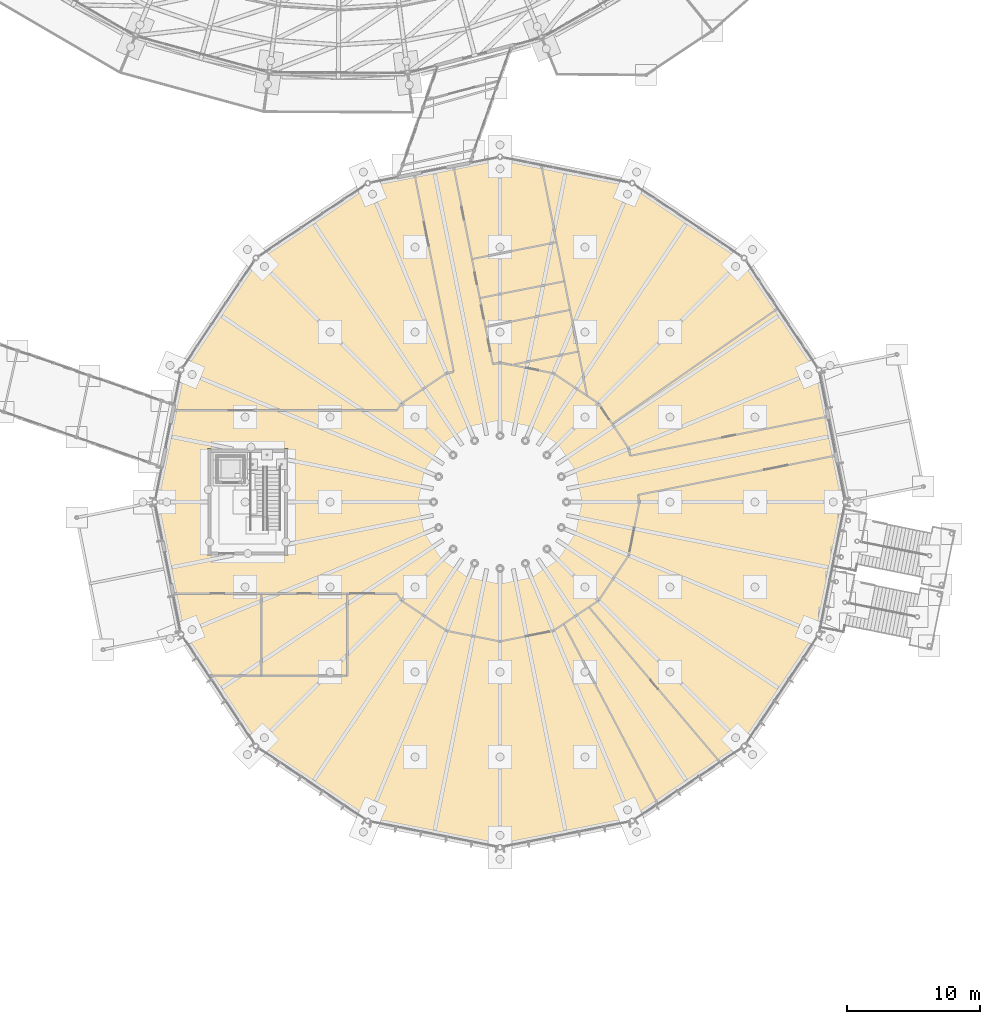
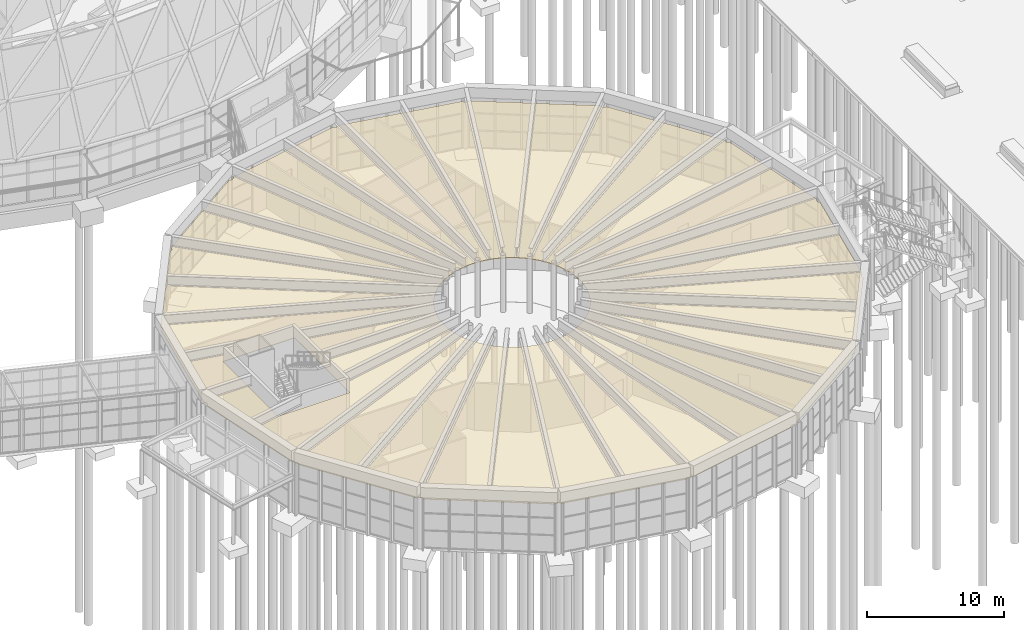
# One storey, part 217 of 226: 1 covering.
"""IFC4 building model written with IfcOpenShell, lengths in metres."""

from ifc_helpers import new_model, si_unit, direction, frame, origin, place, context, subcontext, project, spatial, polyline, outline, extrude, material, layer, layer_set, type_object, element, save


model = new_model("IFC4")

# Units and contexts
model_context = context("Model", 3, precision=1e-05, world=origin(), true_north=direction((0.0, 1.0)))
body_context = subcontext(model_context, "Body", "Model", "MODEL_VIEW")
ifc_project = project(units=[si_unit("LENGTHUNIT", "METRE"), si_unit("AREAUNIT", "SQUARE_METRE"), si_unit("VOLUMEUNIT", "CUBIC_METRE"), si_unit("PLANEANGLEUNIT", "RADIAN"), si_unit("MASSUNIT", "GRAM", prefix="KILO")], contexts=[model_context])

# Site, building, storey
site_placement = place(None, origin())
site = spatial("IfcSite", under=ifc_project, at=site_placement, CompositionType="ELEMENT")
building_placement = place(site_placement, origin())
building = spatial("IfcBuilding", under=site, at=building_placement, Name="Ceibo Conservatory and Research Tower", CompositionType="ELEMENT")
storey_placement = place(building_placement, origin())
storey = spatial("IfcBuildingStorey", under=building, at=storey_placement, Name="L00", CompositionType="ELEMENT", Elevation=0.0)

# Covering
ifc_material = material(Name="Aluminium ceiling panel", Category="aluminium")
ifc_layer = layer(ifc_material, 0.050048828125)
ifc_layer_set = layer_set([ifc_layer], Name="Aluminium ceiling panel")
covering_type = type_object("IfcCoveringType", Name="Ceiling panel 50", PredefinedType="CEILING", material=ifc_layer_set)
covering_placement = place(storey_placement, frame((0.0, 0.0, 4.199951171875)))
element("IfcCovering", 1, at=covering_placement, inside=storey, type_object=covering_type, Name="Ceiling VC-C01", PredefinedType="CEILING", context=body_context, shape_type="SweptSolid", body=[
    extrude(outline(polyline([(149.781982421875, 54.13525390625), (149.756591796875, 54.1201171875), (149.72998046875, 54.107666015625), (149.702392578125, 54.09765625), (149.673828125, 54.090576171875), (149.64453125, 54.086181640625), (149.615234375, 54.084716796875), (149.5859375, 54.086181640625), (149.56787109375, 54.0888671875), (144.234375, 46.106689453125), (144.24365234375, 46.09130859375), (144.25634765625, 46.064453125), (144.26611328125, 46.036865234375), (144.2734375, 46.00830078125), (144.277587890625, 45.979248046875), (144.279052734375, 45.94970703125), (144.277587890625, 45.92041015625), (144.2734375, 45.891357421875), (144.26611328125, 45.86279296875), (144.25634765625, 45.8349609375), (144.24365234375, 45.808349609375), (144.228515625, 45.783203125), (144.2109375, 45.759521484375), (144.191162109375, 45.737548828125), (144.16943359375, 45.7177734375), (144.145751953125, 45.700439453125), (144.12060546875, 45.685302734375), (144.093994140625, 45.672607421875), (144.066162109375, 45.66259765625), (144.048583984375, 45.658203125), (142.17578125, 36.24267578125), (142.1904296875, 36.23193359375), (142.212158203125, 36.212158203125), (142.23193359375, 36.1904296875), (142.24951171875, 36.166748046875), (142.2646484375, 36.141357421875), (142.277099609375, 36.11474609375), (142.287109375, 36.087158203125), (142.294189453125, 36.05859375), (142.298583984375, 36.029296875), (142.300048828125, 36.0), (142.298583984375, 35.970703125), (142.294189453125, 35.94140625), (142.287109375, 35.912841796875), (142.277099609375, 35.88525390625), (142.2646484375, 35.858642578125), (142.24951171875, 35.833251953125), (142.23193359375, 35.8095703125), (142.212158203125, 35.787841796875), (142.1904296875, 35.76806640625), (142.17578125, 35.75732421875), (144.048583984375, 26.341796875), (144.066162109375, 26.33740234375), (144.093994140625, 26.327392578125), (144.12060546875, 26.314697265625), (144.145751953125, 26.299560546875), (144.16943359375, 26.2822265625), (144.191162109375, 26.262451171875), (144.2109375, 26.240478515625), (144.228515625, 26.216796875), (144.24365234375, 26.191650390625), (144.25634765625, 26.1650390625), (144.26611328125, 26.13720703125), (144.2734375, 26.108642578125), (144.277587890625, 26.07958984375), (144.279052734375, 26.05029296875), (144.277587890625, 26.020751953125), (144.2734375, 25.99169921875), (144.26611328125, 25.963134765625), (144.25634765625, 25.935546875), (144.24365234375, 25.90869140625), (144.234375, 25.893310546875), (149.56787109375, 17.9111328125), (149.5859375, 17.913818359375), (149.615234375, 17.915283203125), (149.64453125, 17.913818359375), (149.673828125, 17.909423828125), (149.702392578125, 17.90234375), (149.72998046875, 17.892333984375), (149.756591796875, 17.8798828125), (149.781982421875, 17.86474609375), (149.805419921875, 17.84716796875), (149.827392578125, 17.827392578125), (149.84716796875, 17.805419921875), (149.86474609375, 17.781982421875), (149.8798828125, 17.756591796875), (149.892333984375, 17.72998046875), (149.90234375, 17.702392578125), (149.909423828125, 17.673828125), (149.913818359375, 17.64453125), (149.915283203125, 17.615234375), (149.913818359375, 17.5859375), (149.9111328125, 17.56787109375), (157.893310546875, 12.234375), (157.90869140625, 12.24365234375), (157.935546875, 12.25634765625), (157.963134765625, 12.26611328125), (157.99169921875, 12.2734375), (158.020751953125, 12.277587890625), (158.05029296875, 12.279052734375), (158.07958984375, 12.277587890625), (158.108642578125, 12.2734375), (158.13720703125, 12.26611328125), (158.1650390625, 12.25634765625), (158.191650390625, 12.24365234375), (158.216796875, 12.228515625), (158.240478515625, 12.2109375), (158.262451171875, 12.191162109375), (158.2822265625, 12.16943359375), (158.299560546875, 12.145751953125), (158.314697265625, 12.12060546875), (158.327392578125, 12.093994140625), (158.33740234375, 12.066162109375), (158.341796875, 12.048583984375), (167.75732421875, 10.17578125), (167.76806640625, 10.1904296875), (167.787841796875, 10.212158203125), (167.8095703125, 10.23193359375), (167.833251953125, 10.24951171875), (167.858642578125, 10.2646484375), (167.88525390625, 10.277099609375), (167.912841796875, 10.287109375), (167.94140625, 10.294189453125), (167.970703125, 10.298583984375), (168.0, 10.300048828125), (168.029296875, 10.298583984375), (168.05859375, 10.294189453125), (168.087158203125, 10.287109375), (168.11474609375, 10.277099609375), (168.141357421875, 10.2646484375), (168.166748046875, 10.24951171875), (168.1904296875, 10.23193359375), (168.212158203125, 10.212158203125), (168.23193359375, 10.1904296875), (168.24267578125, 10.17578125), (177.658203125, 12.048583984375), (177.66259765625, 12.066162109375), (177.672607421875, 12.093994140625), (177.685302734375, 12.12060546875), (177.700439453125, 12.145751953125), (177.7177734375, 12.16943359375), (177.737548828125, 12.191162109375), (177.759521484375, 12.2109375), (177.783203125, 12.228515625), (177.808349609375, 12.24365234375), (177.8349609375, 12.25634765625), (177.86279296875, 12.26611328125), (177.891357421875, 12.2734375), (177.92041015625, 12.277587890625), (177.94970703125, 12.279052734375), (177.979248046875, 12.277587890625), (178.00830078125, 12.2734375), (178.036865234375, 12.26611328125), (178.064453125, 12.25634765625), (178.09130859375, 12.24365234375), (178.106689453125, 12.234375), (186.0888671875, 17.56787109375), (186.086181640625, 17.5859375), (186.084716796875, 17.615234375), (186.086181640625, 17.64453125), (186.090576171875, 17.673828125), (186.09765625, 17.702392578125), (186.107666015625, 17.72998046875), (186.1201171875, 17.756591796875), (186.13525390625, 17.781982421875), (186.15283203125, 17.805419921875), (186.172607421875, 17.827392578125), (186.194580078125, 17.84716796875), (186.218017578125, 17.86474609375), (186.243408203125, 17.8798828125), (186.27001953125, 17.892333984375), (186.297607421875, 17.90234375), (186.326171875, 17.909423828125), (186.35546875, 17.913818359375), (186.384765625, 17.915283203125), (186.4140625, 17.913818359375), (186.43212890625, 17.9111328125), (191.765625, 25.893310546875), (191.75634765625, 25.90869140625), (191.74365234375, 25.935546875), (191.73388671875, 25.963134765625), (191.7265625, 25.99169921875), (191.722412109375, 26.020751953125), (191.720947265625, 26.05029296875), (191.722412109375, 26.07958984375), (191.7265625, 26.108642578125), (191.73388671875, 26.13720703125), (191.74365234375, 26.1650390625), (191.75634765625, 26.191650390625), (191.771484375, 26.216796875), (191.7890625, 26.240478515625), (191.808837890625, 26.262451171875), (191.83056640625, 26.2822265625), (191.854248046875, 26.299560546875), (191.87939453125, 26.314697265625), (191.906005859375, 26.327392578125), (191.933837890625, 26.33740234375), (191.951416015625, 26.341796875), (193.82421875, 35.75732421875), (193.8095703125, 35.76806640625), (193.787841796875, 35.787841796875), (193.76806640625, 35.8095703125), (193.75048828125, 35.833251953125), (193.7353515625, 35.858642578125), (193.722900390625, 35.88525390625), (193.712890625, 35.912841796875), (193.705810546875, 35.94140625), (193.701416015625, 35.970703125), (193.699951171875, 36.0), (193.701416015625, 36.029296875), (193.705810546875, 36.05859375), (193.712890625, 36.087158203125), (193.722900390625, 36.11474609375), (193.7353515625, 36.141357421875), (193.75048828125, 36.166748046875), (193.76806640625, 36.1904296875), (193.787841796875, 36.212158203125), (193.8095703125, 36.23193359375), (193.82421875, 36.24267578125), (191.951416015625, 45.658203125), (191.933837890625, 45.66259765625), (191.906005859375, 45.672607421875), (191.87939453125, 45.685302734375), (191.854248046875, 45.700439453125), (191.83056640625, 45.7177734375), (191.808837890625, 45.737548828125), (191.7890625, 45.759521484375), (191.771484375, 45.783203125), (191.75634765625, 45.808349609375), (191.74365234375, 45.8349609375), (191.73388671875, 45.86279296875), (191.7265625, 45.891357421875), (191.722412109375, 45.92041015625), (191.720947265625, 45.94970703125), (191.722412109375, 45.979248046875), (191.7265625, 46.00830078125), (191.73388671875, 46.036865234375), (191.74365234375, 46.064453125), (191.75634765625, 46.09130859375), (191.765625, 46.106689453125), (186.43212890625, 54.0888671875), (186.4140625, 54.086181640625), (186.384765625, 54.084716796875), (186.35546875, 54.086181640625), (186.326171875, 54.090576171875), (186.297607421875, 54.09765625), (186.27001953125, 54.107666015625), (186.243408203125, 54.1201171875), (186.218017578125, 54.13525390625), (186.194580078125, 54.15283203125), (186.172607421875, 54.172607421875), (186.15283203125, 54.194580078125), (186.13525390625, 54.218017578125), (186.1201171875, 54.243408203125), (186.107666015625, 54.27001953125), (186.09765625, 54.297607421875), (186.090576171875, 54.326171875), (186.086181640625, 54.35546875), (186.084716796875, 54.384765625), (186.086181640625, 54.4140625), (186.0888671875, 54.43212890625), (178.106689453125, 59.765625), (178.09130859375, 59.75634765625), (178.064453125, 59.74365234375), (178.036865234375, 59.73388671875), (178.00830078125, 59.7265625), (177.979248046875, 59.722412109375), (177.94970703125, 59.720947265625), (177.92041015625, 59.722412109375), (177.891357421875, 59.7265625), (177.86279296875, 59.73388671875), (177.8349609375, 59.74365234375), (177.808349609375, 59.75634765625), (177.783203125, 59.771484375), (177.759521484375, 59.7890625), (177.737548828125, 59.808837890625), (177.7177734375, 59.83056640625), (177.700439453125, 59.854248046875), (177.685302734375, 59.87939453125), (177.672607421875, 59.906005859375), (177.66259765625, 59.933837890625), (177.658203125, 59.951416015625), (168.24267578125, 61.82421875), (168.23193359375, 61.8095703125), (168.212158203125, 61.787841796875), (168.1904296875, 61.76806640625), (168.166748046875, 61.75048828125), (168.141357421875, 61.7353515625), (168.11474609375, 61.722900390625), (168.087158203125, 61.712890625), (168.05859375, 61.705810546875), (168.029296875, 61.701416015625), (168.0, 61.699951171875), (167.970703125, 61.701416015625), (167.94140625, 61.705810546875), (167.912841796875, 61.712890625), (167.88525390625, 61.722900390625), (167.858642578125, 61.7353515625), (167.833251953125, 61.75048828125), (167.8095703125, 61.76806640625), (167.787841796875, 61.787841796875), (167.76806640625, 61.8095703125), (167.75732421875, 61.82421875), (158.341796875, 59.951416015625), (158.33740234375, 59.933837890625), (158.327392578125, 59.906005859375), (158.314697265625, 59.87939453125), (158.299560546875, 59.854248046875), (158.2822265625, 59.83056640625), (158.262451171875, 59.808837890625), (158.240478515625, 59.7890625), (158.216796875, 59.771484375), (158.191650390625, 59.75634765625), (158.1650390625, 59.74365234375), (158.13720703125, 59.73388671875), (158.108642578125, 59.7265625), (158.07958984375, 59.722412109375), (158.05029296875, 59.720947265625), (158.020751953125, 59.722412109375), (157.99169921875, 59.7265625), (157.963134765625, 59.73388671875), (157.935546875, 59.74365234375), (157.90869140625, 59.75634765625), (157.893310546875, 59.765625), (149.9111328125, 54.43212890625), (149.913818359375, 54.4140625), (149.915283203125, 54.384765625), (149.913818359375, 54.35546875), (149.909423828125, 54.326171875), (149.90234375, 54.297607421875), (149.892333984375, 54.27001953125), (149.8798828125, 54.243408203125), (149.86474609375, 54.218017578125), (149.84716796875, 54.194580078125), (149.827392578125, 54.172607421875), (149.805419921875, 54.15283203125), (149.781982421875, 54.13525390625)]), holes=[polyline([(152.02001953125, 40.02001953125), (152.02001953125, 31.97998046875), (145.97998046875, 31.97998046875), (145.97998046875, 40.02001953125), (152.02001953125, 40.02001953125)]), polyline([(167.44140625, 41.672607421875), (168.0, 41.699951171875), (168.55859375, 41.672607421875), (169.112060546875, 41.590576171875), (169.654541015625, 41.45458984375), (170.181396484375, 41.26611328125), (170.68701171875, 41.02685546875), (171.166748046875, 40.7392578125), (171.615966796875, 40.40625), (172.030517578125, 40.030517578125), (172.40625, 39.615966796875), (172.7392578125, 39.166748046875), (173.02685546875, 38.68701171875), (173.26611328125, 38.181396484375), (173.45458984375, 37.654541015625), (173.590576171875, 37.112060546875), (173.672607421875, 36.55859375), (173.699951171875, 36.0), (173.672607421875, 35.44140625), (173.590576171875, 34.887939453125), (173.45458984375, 34.345458984375), (173.26611328125, 33.818603515625), (173.02685546875, 33.31298828125), (172.7392578125, 32.833251953125), (172.40625, 32.384033203125), (172.030517578125, 31.969482421875), (171.615966796875, 31.59375), (171.166748046875, 31.2607421875), (170.68701171875, 30.97314453125), (170.181396484375, 30.73388671875), (169.654541015625, 30.54541015625), (169.112060546875, 30.409423828125), (168.55859375, 30.327392578125), (168.0, 30.300048828125), (167.44140625, 30.327392578125), (166.887939453125, 30.409423828125), (166.345458984375, 30.54541015625), (165.818603515625, 30.73388671875), (165.31298828125, 30.97314453125), (164.833251953125, 31.2607421875), (164.384033203125, 31.59375), (163.969482421875, 31.969482421875), (163.59375, 32.384033203125), (163.2607421875, 32.833251953125), (162.97314453125, 33.31298828125), (162.73388671875, 33.818603515625), (162.54541015625, 34.345458984375), (162.409423828125, 34.887939453125), (162.327392578125, 35.44140625), (162.300048828125, 36.0), (162.327392578125, 36.55859375), (162.409423828125, 37.112060546875), (162.54541015625, 37.654541015625), (162.73388671875, 38.181396484375), (162.97314453125, 38.68701171875), (163.2607421875, 39.166748046875), (163.59375, 39.615966796875), (163.969482421875, 40.030517578125), (164.384033203125, 40.40625), (164.833251953125, 40.7392578125), (165.31298828125, 41.02685546875), (165.818603515625, 41.26611328125), (166.345458984375, 41.45458984375), (166.887939453125, 41.590576171875), (167.44140625, 41.672607421875)])]), origin(), (0.0, 0.0, 1.0), 0.050048828125),
])

save(model, "model.ifc")
